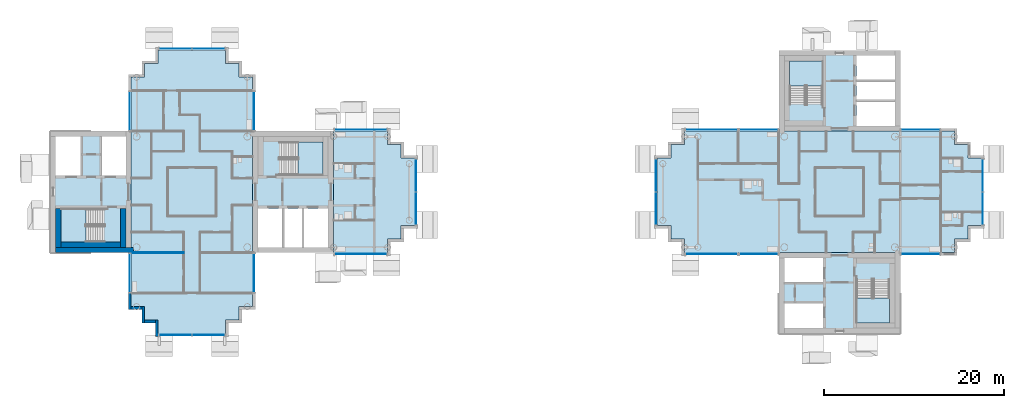
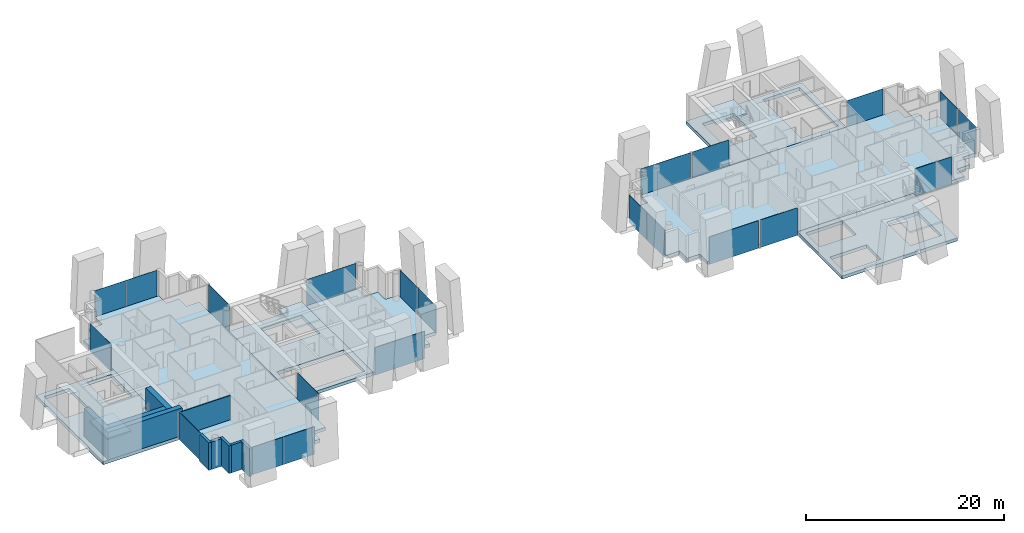
# One storey, part 5 of 19: 22 plates, 11 slabs, 10 walls, 21 elements without a shape of their own.
"""IFC4 building model written with IfcOpenShell, lengths in metres."""

from ifc_helpers import new_model, si_unit, direction, frame, frame_2d, origin, origin_2d, place, context, subcontext, project, spatial, polyline, rectangle, outline, extrude, material, layer, layer_set, type_object, element, aggregate, save


model = new_model("IFC4")

# Units and contexts
model_context = context("Model", 3, precision=1e-05, world=origin(), true_north=direction((0.0, 1.0)))
body_context = subcontext(model_context, "Body", "Model", "MODEL_VIEW")
ifc_project = project(units=[si_unit("LENGTHUNIT", "METRE"), si_unit("AREAUNIT", "SQUARE_METRE"), si_unit("VOLUMEUNIT", "CUBIC_METRE"), si_unit("PLANEANGLEUNIT", "RADIAN"), si_unit("MASSUNIT", "GRAM", prefix="KILO")], contexts=[model_context])

# Site, building, storey
site_placement = place(None, origin())
site = spatial("IfcSite", under=ifc_project, at=site_placement, CompositionType="ELEMENT")
building_placement = place(site_placement, origin())
building = spatial("IfcBuilding", under=site, at=building_placement, Name="Ipe Terrace Towers", CompositionType="ELEMENT")
storey_placement = place(building_placement, frame((0.0, 0.0, 189.199951171875)))
storey = spatial("IfcBuildingStorey", under=building, at=storey_placement, Name="L52", CompositionType="ELEMENT", Elevation=189.199951171875)

# Slabs
ifc_material_1 = material(Name="Concrete C30/37", Category="concrete")
ifc_layer_1 = layer(ifc_material_1, 0.39990234375)
ifc_layer_set_1 = layer_set([ifc_layer_1], Name="CORE FLOOR SLAB 400 C30-37")
slab_type_1 = type_object("IfcSlabType", Name="CORE FLOOR SLAB 400 C30-37", PredefinedType="FLOOR", material=ifc_layer_set_1)
slab_1_placement = place(storey_placement, frame((0.0, 0.0, -0.39990234375)))
element("IfcSlab", 1, at=slab_1_placement, inside=storey, type_object=slab_type_1, Name="Core floor T1-C1", PredefinedType="FLOOR", context=body_context, shape_type="SweptSolid", body=[
    extrude(outline(polyline([(-29.25, -6.75), (-29.25, 6.75), (-20.25, 6.75), (-20.25, -6.75), (-29.25, -6.75)]), holes=[polyline([(-28.64990234375, -6.14990234375), (-20.85009765625, -6.14990234375), (-20.85009765625, -1.85009765625), (-28.64990234375, -1.85009765625), (-28.64990234375, -6.14990234375)]), polyline([(-26.199951171875, 5.550048828125), (-26.199951171875, 1.89990234375), (-21.449951171875, 1.89990234375), (-21.449951171875, 5.550048828125), (-26.199951171875, 5.550048828125)])]), origin(), (0.0, 0.0, 1.0), 0.39990234375),
])
slab_2_placement = place(storey_placement, frame((0.0, 0.0, -0.39990234375)))
element("IfcSlab", 2, at=slab_2_placement, inside=storey, type_object=slab_type_1, Name="Core floor T1-C2", PredefinedType="FLOOR", context=body_context, shape_type="SweptSolid", body=[
    extrude(outline(polyline([(-51.75, -6.75), (-51.75, 6.75), (-42.75, 6.75), (-42.75, -6.75), (-51.75, -6.75)]), holes=[polyline([(-45.800048828125, -1.89990234375), (-50.550048828125, -1.89990234375), (-50.550048828125, -5.550048828125), (-45.800048828125, -5.550048828125), (-45.800048828125, -1.89990234375)]), polyline([(-48.25, 1.85009765625), (-48.25, 6.14990234375), (-51.14990234375, 6.14990234375), (-51.14990234375, 1.85009765625), (-48.25, 1.85009765625)]), polyline([(-43.35009765625, 1.85009765625), (-43.35009765625, 6.14990234375), (-46.14990234375, 6.14990234375), (-46.14990234375, 1.85009765625), (-43.35009765625, 1.85009765625)])]), origin(), (0.0, 0.0, 1.0), 0.39990234375),
])
slab_3_placement = place(storey_placement, frame((0.0, 0.0, -0.39990234375)))
element("IfcSlab", 3, at=slab_3_placement, inside=storey, type_object=slab_type_1, Name="Core floor T2-C1", PredefinedType="FLOOR", context=body_context, shape_type="SweptSolid", body=[
    extrude(outline(polyline([(29.25, 6.75), (29.25, 15.75), (42.75, 15.75), (42.75, 6.75), (29.25, 6.75)]), holes=[polyline([(42.14990234375, 7.35009765625), (42.14990234375, 15.14990234375), (37.85009765625, 15.14990234375), (37.85009765625, 7.35009765625), (42.14990234375, 7.35009765625)]), polyline([(30.449951171875, 9.800048828125), (34.10009765625, 9.800048828125), (34.10009765625, 14.550048828125), (30.449951171875, 14.550048828125), (30.449951171875, 9.800048828125)])]), origin(), (0.0, 0.0, 1.0), 0.39990234375),
])
slab_4_placement = place(storey_placement, frame((0.0, 0.0, -0.39990234375)))
element("IfcSlab", 4, at=slab_4_placement, inside=storey, type_object=slab_type_1, Name="Core floor T2-C2", PredefinedType="FLOOR", context=body_context, shape_type="SweptSolid", body=[
    extrude(outline(polyline([(29.25, -15.75), (29.25, -6.75), (42.75, -6.75), (42.75, -15.75), (29.25, -15.75)]), holes=[polyline([(29.85009765625, -12.25), (29.85009765625, -15.14990234375), (34.14990234375, -15.14990234375), (34.14990234375, -12.25), (29.85009765625, -12.25)]), polyline([(41.550048828125, -9.800048828125), (37.89990234375, -9.800048828125), (37.89990234375, -14.550048828125), (41.550048828125, -14.550048828125), (41.550048828125, -9.800048828125)]), polyline([(34.14990234375, -7.35009765625), (29.85009765625, -7.35009765625), (29.85009765625, -10.14990234375), (34.14990234375, -10.14990234375), (34.14990234375, -7.35009765625)])]), origin(), (0.0, 0.0, 1.0), 0.39990234375),
])

# Stair, slab
ifc_material_2 = material(Name="Concrete C30/37", Category="concrete")
stair_type = type_object("IfcStairType", Name="Protected exit stair", PredefinedType="HALF_TURN_STAIR", material=ifc_material_2)
stair_1_placement = place(storey_placement, origin())
stair_1 = element("IfcStair", 5, at=stair_1_placement, inside=storey, type_object=stair_type, Name="L52 Exit stair T1-C1", PredefinedType="HALF_TURN_STAIR")
ifc_material_3 = material(Name="Concrete C30/37", Category="concrete")
ifc_layer_2 = layer(ifc_material_3, 0.199951171875)
ifc_layer_set_2 = layer_set([ifc_layer_2], Name="Exit stair landing 200")
slab_type_2 = type_object("IfcSlabType", Name="Exit stair landing 200", PredefinedType="LANDING", material=ifc_layer_set_2)
slab_5_placement = place(storey_placement, frame((0.0, 0.0, 1.5)))
slab_5 = element("IfcSlab", 6, at=slab_5_placement, type_object=slab_type_2, Name="T1-ST1 landing 1", PredefinedType="LANDING", context=body_context, shape_type="SweptSolid", body=[
    extrude(outline(polyline([(-24.219970703125, 1.89990234375), (-21.449951171875, 1.89990234375), (-21.449951171875, 5.550048828125), (-24.219970703125, 5.550048828125), (-24.219970703125, 1.89990234375)])), origin(), (0.0, 0.0, 1.0), 0.199951171875),
])
aggregate(stair_1, [slab_5])

stair_2_placement = place(storey_placement, origin())
stair_2 = element("IfcStair", 7, at=stair_2_placement, inside=storey, type_object=stair_type, Name="L52 Exit stair T1-C2", PredefinedType="HALF_TURN_STAIR")
slab_6_placement = place(storey_placement, frame((0.0, 0.0, 1.5)))
slab_6 = element("IfcSlab", 8, at=slab_6_placement, type_object=slab_type_2, Name="T1-ST2 landing 1", PredefinedType="LANDING", context=body_context, shape_type="SweptSolid", body=[
    extrude(outline(polyline([(-47.780029296875, -1.89990234375), (-50.550048828125, -1.89990234375), (-50.550048828125, -5.550048828125), (-47.780029296875, -5.550048828125), (-47.780029296875, -1.89990234375)])), origin(), (0.0, 0.0, 1.0), 0.199951171875),
])
aggregate(stair_2, [slab_6])

stair_3_placement = place(storey_placement, origin())
stair_3 = element("IfcStair", 9, at=stair_3_placement, inside=storey, type_object=stair_type, Name="L52 Exit stair T2-C1", PredefinedType="HALF_TURN_STAIR")
slab_7_placement = place(storey_placement, frame((0.0, 0.0, 1.5)))
slab_7 = element("IfcSlab", 10, at=slab_7_placement, type_object=slab_type_2, Name="T2-ST1 landing 1", PredefinedType="LANDING", context=body_context, shape_type="SweptSolid", body=[
    extrude(outline(polyline([(34.10009765625, 11.780029296875), (34.10009765625, 14.550048828125), (30.449951171875, 14.550048828125), (30.449951171875, 11.780029296875), (34.10009765625, 11.780029296875)])), origin(), (0.0, 0.0, 1.0), 0.199951171875),
])
aggregate(stair_3, [slab_7])

stair_4_placement = place(storey_placement, origin())
stair_4 = element("IfcStair", 11, at=stair_4_placement, inside=storey, type_object=stair_type, Name="L52 Exit stair T2-C2", PredefinedType="HALF_TURN_STAIR")
slab_8_placement = place(storey_placement, frame((0.0, 0.0, 1.5)))
slab_8 = element("IfcSlab", 12, at=slab_8_placement, type_object=slab_type_2, Name="T2-ST2 landing 1", PredefinedType="LANDING", context=body_context, shape_type="SweptSolid", body=[
    extrude(outline(polyline([(37.89990234375, -11.780029296875), (37.89990234375, -14.550048828125), (41.550048828125, -14.550048828125), (41.550048828125, -11.780029296875), (37.89990234375, -11.780029296875)])), origin(), (0.0, 0.0, 1.0), 0.199951171875),
])
aggregate(stair_4, [slab_8])

# Slabs
ifc_material_4 = material(Name="Concrete C40/50", Category="concrete")
ifc_layer_3 = layer(ifc_material_4, 0.39990234375)
ifc_layer_set_3 = layer_set([ifc_layer_3], Name="FLAT PLATE SLAB 400 C40-50")
slab_type_3 = type_object("IfcSlabType", Name="FLAT PLATE SLAB 400 C40-50", PredefinedType="FLOOR", material=ifc_layer_set_3)
slab_9_placement = place(storey_placement, frame((0.0, 0.0, -0.39990234375)))
element("IfcSlab", 13, at=slab_9_placement, inside=storey, type_object=slab_type_3, Name="Slab T1-FS-Z41", PredefinedType="FLOOR", context=body_context, shape_type="SweptSolid", body=[
    extrude(outline(polyline([(-30.75, -12.75), (-30.75, -14.25), (-32.25, -14.25), (-32.25, -15.75), (-39.75, -15.75), (-39.75, -14.25), (-41.25, -14.25), (-41.25, -12.75), (-42.75, -12.75), (-42.75, -6.75), (-42.75, 6.75), (-42.75, 12.75), (-41.25, 12.75), (-41.25, 14.25), (-39.75, 14.25), (-39.75, 15.75), (-32.25, 15.75), (-32.25, 14.25), (-30.75, 14.25), (-30.75, 12.75), (-29.25, 12.75), (-29.25, 6.75), (-29.25, -6.75), (-29.25, -12.75), (-30.75, -12.75)])), origin(), (0.0, 0.0, 1.0), 0.39990234375),
])
slab_10_placement = place(storey_placement, frame((0.0, 0.0, -0.39990234375)))
element("IfcSlab", 14, at=slab_10_placement, inside=storey, type_object=slab_type_3, Name="Slab T1-FS-Z42", PredefinedType="FLOOR", context=body_context, shape_type="SweptSolid", body=[
    extrude(outline(polyline([(-14.25, 5.25), (-12.75, 5.25), (-12.75, 3.75), (-11.25, 3.75), (-11.25, -3.75), (-12.75, -3.75), (-12.75, -5.25), (-14.25, -5.25), (-14.25, -6.75), (-20.25, -6.75), (-20.25, 6.75), (-14.25, 6.75), (-14.25, 5.25)])), origin(), (0.0, 0.0, 1.0), 0.39990234375),
])
slab_11_placement = place(storey_placement, frame((0.0, 0.0, -0.39990234375)))
element("IfcSlab", 15, at=slab_11_placement, inside=storey, type_object=slab_type_3, Name="Slab T2-FS-Z41", PredefinedType="FLOOR", context=body_context, shape_type="SweptSolid", body=[
    extrude(outline(polyline([(48.75, 5.25), (50.25, 5.25), (50.25, 3.75), (51.75, 3.75), (51.75, -3.75), (50.25, -3.75), (50.25, -5.25), (48.75, -5.25), (48.75, -6.75), (42.75, -6.75), (29.25, -6.75), (18.75, -6.75), (18.75, -5.25), (17.25, -5.25), (17.25, -3.75), (15.75, -3.75), (15.75, 3.75), (17.25, 3.75), (17.25, 5.25), (18.75, 5.25), (18.75, 6.75), (29.25, 6.75), (42.75, 6.75), (48.75, 6.75), (48.75, 5.25)])), origin(), (0.0, 0.0, 1.0), 0.39990234375),
])

# Curtain wall, plate
ifc_material_5 = material(Name="Aluminium alloy 6063-T6", Category="aluminium")
ifc_layer_4 = layer(ifc_material_5, 0.320068359375)
ifc_layer_set_4 = layer_set([ifc_layer_4], Name="TOWER UNITISED CURTAIN WALL")
curtain_wall_type = type_object("IfcCurtainWallType", Name="TOWER UNITISED CURTAIN WALL", PredefinedType="NOTDEFINED", material=ifc_layer_set_4)
curtain_wall_1_placement = place(storey_placement, origin())
curtain_wall_1 = element("IfcCurtainWall", 16, at=curtain_wall_1_placement, inside=storey, type_object=curtain_wall_type, Name="T1-CW-L52-02a curtain wall", PredefinedType="NOTDEFINED")
ifc_material_6 = material(Name="Glass, clear laminated", Category="glass")
ifc_layer_5 = layer(ifc_material_6, 0.031982421875)
ifc_layer_set_5 = layer_set([ifc_layer_5], Name="TOWER UNITISED GLASS PANEL 32")
plate_type = type_object("IfcPlateType", Name="TOWER UNITISED GLASS PANEL 32", PredefinedType="CURTAIN_PANEL", material=ifc_layer_set_5)
plate_1_placement = place(storey_placement, frame((-42.909912109375, -9.0, -0.2998046875), z_axis=(0.0, 0.0, 1.0), x_axis=(0.0, -1.0, 0.0)))
plate_1 = element("IfcPlate", 17, at=plate_1_placement, type_object=plate_type, Name="T1-CW-L52-02a panel 1", PredefinedType="CURTAIN_PANEL", context=body_context, shape_type="SweptSolid", body=[
    extrude(rectangle(XDim=4.260009765625, YDim=0.031982421875, at=origin_2d()), origin(), (0.0, 0.0, 1.0), 3.39990234375),
])
aggregate(curtain_wall_1, [plate_1])

# Curtain wall, plates
curtain_wall_2_placement = place(storey_placement, origin())
curtain_wall_2 = element("IfcCurtainWall", 18, at=curtain_wall_2_placement, inside=storey, type_object=curtain_wall_type, Name="T1-CW-L52-08a curtain wall", PredefinedType="NOTDEFINED")
plate_2_placement = place(storey_placement, frame((-37.831298828125, -15.909912109375, -0.2998046875), z_axis=(0.0, 0.0, 1.0), x_axis=(1.0, 0.0, 0.0)))
plate_2 = element("IfcPlate", 19, at=plate_2_placement, type_object=plate_type, Name="T1-CW-L52-08a panel 1", PredefinedType="CURTAIN_PANEL", context=body_context, shape_type="SweptSolid", body=[
    extrude(rectangle(XDim=3.597412109375, YDim=0.031982421875, at=origin_2d()), origin(), (0.0, 0.0, 1.0), 3.39990234375),
])
plate_3_placement = place(storey_placement, frame((-34.168701171875, -15.909912109375, -0.2998046875), z_axis=(0.0, 0.0, 1.0), x_axis=(1.0, 0.0, 0.0)))
plate_3 = element("IfcPlate", 20, at=plate_3_placement, type_object=plate_type, Name="T1-CW-L52-08a panel 2", PredefinedType="CURTAIN_PANEL", context=body_context, shape_type="SweptSolid", body=[
    extrude(rectangle(XDim=3.597412109375, YDim=0.031982421875, at=origin_2d()), origin(), (0.0, 0.0, 1.0), 3.39990234375),
])
aggregate(curtain_wall_2, [plate_2, plate_3])

# Curtain wall, plate
curtain_wall_3_placement = place(storey_placement, origin())
curtain_wall_3 = element("IfcCurtainWall", 21, at=curtain_wall_3_placement, inside=storey, type_object=curtain_wall_type, Name="T1-CW-L52-14a curtain wall", PredefinedType="NOTDEFINED")
plate_4_placement = place(storey_placement, frame((-29.090087890625, -9.0, -0.2998046875), z_axis=(0.0, 0.0, 1.0), x_axis=(0.0, 1.0, 0.0)))
plate_4 = element("IfcPlate", 22, at=plate_4_placement, type_object=plate_type, Name="T1-CW-L52-14a panel 1", PredefinedType="CURTAIN_PANEL", context=body_context, shape_type="SweptSolid", body=[
    extrude(rectangle(XDim=4.260009765625, YDim=0.031982421875, at=origin_2d()), origin(), (0.0, 0.0, 1.0), 3.39990234375),
])
aggregate(curtain_wall_3, [plate_4])

curtain_wall_4_placement = place(storey_placement, origin())
curtain_wall_4 = element("IfcCurtainWall", 23, at=curtain_wall_4_placement, inside=storey, type_object=curtain_wall_type, Name="T1-CW-L52-16b curtain wall", PredefinedType="NOTDEFINED")
plate_5_placement = place(storey_placement, frame((-17.24951171875, -6.909912109375, -0.2998046875), z_axis=(0.0, 0.0, 1.0), x_axis=(1.0, 0.0, 0.0)))
plate_5 = element("IfcPlate", 24, at=plate_5_placement, type_object=plate_type, Name="T1-CW-L52-16b panel 1", PredefinedType="CURTAIN_PANEL", context=body_context, shape_type="SweptSolid", body=[
    extrude(rectangle(XDim=5.759033203125, YDim=0.031982421875, at=origin_2d()), origin(), (0.0, 0.0, 1.0), 3.39990234375),
])
aggregate(curtain_wall_4, [plate_5])

# Curtain wall, plates
curtain_wall_5_placement = place(storey_placement, origin())
curtain_wall_5 = element("IfcCurtainWall", 25, at=curtain_wall_5_placement, inside=storey, type_object=curtain_wall_type, Name="T1-CW-L52-21a curtain wall", PredefinedType="NOTDEFINED")
plate_6_placement = place(storey_placement, frame((-11.090087890625, -1.831298828125, -0.2998046875), z_axis=(0.0, 0.0, 1.0), x_axis=(0.0, 1.0, 0.0)))
plate_6 = element("IfcPlate", 26, at=plate_6_placement, type_object=plate_type, Name="T1-CW-L52-21a panel 1", PredefinedType="CURTAIN_PANEL", context=body_context, shape_type="SweptSolid", body=[
    extrude(rectangle(XDim=3.597412109375, YDim=0.031982421875, at=origin_2d()), origin(), (0.0, 0.0, 1.0), 3.39990234375),
])
plate_7_placement = place(storey_placement, frame((-11.090087890625, 1.831298828125, -0.2998046875), z_axis=(0.0, 0.0, 1.0), x_axis=(0.0, 1.0, 0.0)))
plate_7 = element("IfcPlate", 27, at=plate_7_placement, type_object=plate_type, Name="T1-CW-L52-21a panel 2", PredefinedType="CURTAIN_PANEL", context=body_context, shape_type="SweptSolid", body=[
    extrude(rectangle(XDim=3.597412109375, YDim=0.031982421875, at=origin_2d()), origin(), (0.0, 0.0, 1.0), 3.39990234375),
])
aggregate(curtain_wall_5, [plate_6, plate_7])

# Curtain wall, plate
curtain_wall_6_placement = place(storey_placement, origin())
curtain_wall_6 = element("IfcCurtainWall", 28, at=curtain_wall_6_placement, inside=storey, type_object=curtain_wall_type, Name="T1-CW-L52-26a curtain wall", PredefinedType="NOTDEFINED")
plate_8_placement = place(storey_placement, frame((-17.24951171875, 6.909912109375, -0.2998046875), z_axis=(0.0, 0.0, 1.0), x_axis=(-1.0, 0.0, 0.0)))
plate_8 = element("IfcPlate", 29, at=plate_8_placement, type_object=plate_type, Name="T1-CW-L52-26a panel 1", PredefinedType="CURTAIN_PANEL", context=body_context, shape_type="SweptSolid", body=[
    extrude(rectangle(XDim=5.759033203125, YDim=0.031982421875, at=origin_2d()), origin(), (0.0, 0.0, 1.0), 3.39990234375),
])
aggregate(curtain_wall_6, [plate_8])

curtain_wall_7_placement = place(storey_placement, origin())
curtain_wall_7 = element("IfcCurtainWall", 30, at=curtain_wall_7_placement, inside=storey, type_object=curtain_wall_type, Name="T1-CW-L52-28a curtain wall", PredefinedType="NOTDEFINED")
plate_9_placement = place(storey_placement, frame((-29.090087890625, 9.0, -0.2998046875), z_axis=(0.0, 0.0, 1.0), x_axis=(0.0, 1.0, 0.0)))
plate_9 = element("IfcPlate", 31, at=plate_9_placement, type_object=plate_type, Name="T1-CW-L52-28a panel 1", PredefinedType="CURTAIN_PANEL", context=body_context, shape_type="SweptSolid", body=[
    extrude(rectangle(XDim=4.260009765625, YDim=0.031982421875, at=origin_2d()), origin(), (0.0, 0.0, 1.0), 3.39990234375),
])
aggregate(curtain_wall_7, [plate_9])

# Curtain wall, plates
curtain_wall_8_placement = place(storey_placement, origin())
curtain_wall_8 = element("IfcCurtainWall", 32, at=curtain_wall_8_placement, inside=storey, type_object=curtain_wall_type, Name="T1-CW-L52-34a curtain wall", PredefinedType="NOTDEFINED")
plate_10_placement = place(storey_placement, frame((-34.168701171875, 15.909912109375, -0.2998046875), z_axis=(0.0, 0.0, 1.0), x_axis=(-1.0, 0.0, 0.0)))
plate_10 = element("IfcPlate", 33, at=plate_10_placement, type_object=plate_type, Name="T1-CW-L52-34a panel 1", PredefinedType="CURTAIN_PANEL", context=body_context, shape_type="SweptSolid", body=[
    extrude(rectangle(XDim=3.597412109375, YDim=0.031982421875, at=origin_2d()), origin(), (0.0, 0.0, 1.0), 3.39990234375),
])
plate_11_placement = place(storey_placement, frame((-37.831298828125, 15.909912109375, -0.2998046875), z_axis=(0.0, 0.0, 1.0), x_axis=(-1.0, 0.0, 0.0)))
plate_11 = element("IfcPlate", 34, at=plate_11_placement, type_object=plate_type, Name="T1-CW-L52-34a panel 2", PredefinedType="CURTAIN_PANEL", context=body_context, shape_type="SweptSolid", body=[
    extrude(rectangle(XDim=3.597412109375, YDim=0.031982421875, at=origin_2d()), origin(), (0.0, 0.0, 1.0), 3.39990234375),
])
aggregate(curtain_wall_8, [plate_10, plate_11])

# Curtain wall, plate
curtain_wall_9_placement = place(storey_placement, origin())
curtain_wall_9 = element("IfcCurtainWall", 35, at=curtain_wall_9_placement, inside=storey, type_object=curtain_wall_type, Name="T1-CW-L52-40a curtain wall", PredefinedType="NOTDEFINED")
plate_12_placement = place(storey_placement, frame((-42.909912109375, 9.0, -0.2998046875), z_axis=(0.0, 0.0, 1.0), x_axis=(0.0, -1.0, 0.0)))
plate_12 = element("IfcPlate", 36, at=plate_12_placement, type_object=plate_type, Name="T1-CW-L52-40a panel 1", PredefinedType="CURTAIN_PANEL", context=body_context, shape_type="SweptSolid", body=[
    extrude(rectangle(XDim=4.260009765625, YDim=0.031982421875, at=origin_2d()), origin(), (0.0, 0.0, 1.0), 3.39990234375),
])
aggregate(curtain_wall_9, [plate_12])

curtain_wall_10_placement = place(storey_placement, origin())
curtain_wall_10 = element("IfcCurtainWall", 37, at=curtain_wall_10_placement, inside=storey, type_object=curtain_wall_type, Name="T2-CW-L52-02a curtain wall", PredefinedType="NOTDEFINED")
plate_13_placement = place(storey_placement, frame((45.0, -6.909912109375, -0.2998046875), z_axis=(0.0, 0.0, 1.0), x_axis=(1.0, 0.0, 0.0)))
plate_13 = element("IfcPlate", 38, at=plate_13_placement, type_object=plate_type, Name="T2-CW-L52-02a panel 1", PredefinedType="CURTAIN_PANEL", context=body_context, shape_type="SweptSolid", body=[
    extrude(rectangle(XDim=4.260009765625, YDim=0.031982421875, at=origin_2d()), origin(), (0.0, 0.0, 1.0), 3.39990234375),
])
aggregate(curtain_wall_10, [plate_13])

# Curtain wall, plates
curtain_wall_11_placement = place(storey_placement, origin())
curtain_wall_11 = element("IfcCurtainWall", 39, at=curtain_wall_11_placement, inside=storey, type_object=curtain_wall_type, Name="T2-CW-L52-08a curtain wall", PredefinedType="NOTDEFINED")
plate_14_placement = place(storey_placement, frame((51.909912109375, -1.831298828125, -0.2998046875), z_axis=(0.0, 0.0, 1.0), x_axis=(0.0, 1.0, 0.0)))
plate_14 = element("IfcPlate", 40, at=plate_14_placement, type_object=plate_type, Name="T2-CW-L52-08a panel 1", PredefinedType="CURTAIN_PANEL", context=body_context, shape_type="SweptSolid", body=[
    extrude(rectangle(XDim=3.597412109375, YDim=0.031982421875, at=origin_2d()), origin(), (0.0, 0.0, 1.0), 3.39990234375),
])
plate_15_placement = place(storey_placement, frame((51.909912109375, 1.831298828125, -0.2998046875), z_axis=(0.0, 0.0, 1.0), x_axis=(0.0, 1.0, 0.0)))
plate_15 = element("IfcPlate", 41, at=plate_15_placement, type_object=plate_type, Name="T2-CW-L52-08a panel 2", PredefinedType="CURTAIN_PANEL", context=body_context, shape_type="SweptSolid", body=[
    extrude(rectangle(XDim=3.597412109375, YDim=0.031982421875, at=origin_2d()), origin(), (0.0, 0.0, 1.0), 3.39990234375),
])
aggregate(curtain_wall_11, [plate_14, plate_15])

# Curtain wall, plate
curtain_wall_12_placement = place(storey_placement, origin())
curtain_wall_12 = element("IfcCurtainWall", 42, at=curtain_wall_12_placement, inside=storey, type_object=curtain_wall_type, Name="T2-CW-L52-14a curtain wall", PredefinedType="NOTDEFINED")
plate_16_placement = place(storey_placement, frame((45.0, 6.909912109375, -0.2998046875), z_axis=(0.0, 0.0, 1.0), x_axis=(-1.0, 0.0, 0.0)))
plate_16 = element("IfcPlate", 43, at=plate_16_placement, type_object=plate_type, Name="T2-CW-L52-14a panel 1", PredefinedType="CURTAIN_PANEL", context=body_context, shape_type="SweptSolid", body=[
    extrude(rectangle(XDim=4.260009765625, YDim=0.031982421875, at=origin_2d()), origin(), (0.0, 0.0, 1.0), 3.39990234375),
])
aggregate(curtain_wall_12, [plate_16])

curtain_wall_13_placement = place(storey_placement, origin())
curtain_wall_13 = element("IfcCurtainWall", 44, at=curtain_wall_13_placement, inside=storey, type_object=curtain_wall_type, Name="T2-CW-L52-20a curtain wall", PredefinedType="NOTDEFINED")
plate_17_placement = place(storey_placement, frame((27.0, 6.909912109375, -0.2998046875), z_axis=(0.0, 0.0, 1.0), x_axis=(-1.0, 0.0, 0.0)))
plate_17 = element("IfcPlate", 45, at=plate_17_placement, type_object=plate_type, Name="T2-CW-L52-20a panel 1", PredefinedType="CURTAIN_PANEL", context=body_context, shape_type="SweptSolid", body=[
    extrude(rectangle(XDim=4.260009765625, YDim=0.031982421875, at=origin_2d()), origin(), (0.0, 0.0, 1.0), 3.39990234375),
])
aggregate(curtain_wall_13, [plate_17])

curtain_wall_14_placement = place(storey_placement, origin())
curtain_wall_14 = element("IfcCurtainWall", 46, at=curtain_wall_14_placement, inside=storey, type_object=curtain_wall_type, Name="T2-CW-L52-21a curtain wall", PredefinedType="NOTDEFINED")
plate_18_placement = place(storey_placement, frame((21.75, 6.909912109375, -0.2998046875), z_axis=(0.0, 0.0, 1.0), x_axis=(-1.0, 0.0, 0.0)))
plate_18 = element("IfcPlate", 47, at=plate_18_placement, type_object=plate_type, Name="T2-CW-L52-21a panel 1", PredefinedType="CURTAIN_PANEL", context=body_context, shape_type="SweptSolid", body=[
    extrude(rectangle(XDim=5.760009765625, YDim=0.031982421875, at=origin_2d()), origin(), (0.0, 0.0, 1.0), 3.39990234375),
])
aggregate(curtain_wall_14, [plate_18])

# Curtain wall, plates
curtain_wall_15_placement = place(storey_placement, origin())
curtain_wall_15 = element("IfcCurtainWall", 48, at=curtain_wall_15_placement, inside=storey, type_object=curtain_wall_type, Name="T2-CW-L52-26a curtain wall", PredefinedType="NOTDEFINED")
plate_19_placement = place(storey_placement, frame((15.590087890625, 1.831298828125, -0.2998046875), z_axis=(0.0, 0.0, 1.0), x_axis=(0.0, -1.0, 0.0)))
plate_19 = element("IfcPlate", 49, at=plate_19_placement, type_object=plate_type, Name="T2-CW-L52-26a panel 1", PredefinedType="CURTAIN_PANEL", context=body_context, shape_type="SweptSolid", body=[
    extrude(rectangle(XDim=3.597412109375, YDim=0.031982421875, at=origin_2d()), origin(), (0.0, 0.0, 1.0), 3.39990234375),
])
plate_20_placement = place(storey_placement, frame((15.590087890625, -1.831298828125, -0.2998046875), z_axis=(0.0, 0.0, 1.0), x_axis=(0.0, -1.0, 0.0)))
plate_20 = element("IfcPlate", 50, at=plate_20_placement, type_object=plate_type, Name="T2-CW-L52-26a panel 2", PredefinedType="CURTAIN_PANEL", context=body_context, shape_type="SweptSolid", body=[
    extrude(rectangle(XDim=3.597412109375, YDim=0.031982421875, at=origin_2d()), origin(), (0.0, 0.0, 1.0), 3.39990234375),
])
aggregate(curtain_wall_15, [plate_19, plate_20])

# Curtain wall, plate
curtain_wall_16_placement = place(storey_placement, origin())
curtain_wall_16 = element("IfcCurtainWall", 51, at=curtain_wall_16_placement, inside=storey, type_object=curtain_wall_type, Name="T2-CW-L52-31a curtain wall", PredefinedType="NOTDEFINED")
plate_21_placement = place(storey_placement, frame((21.75, -6.909912109375, -0.2998046875), z_axis=(0.0, 0.0, 1.0), x_axis=(1.0, 0.0, 0.0)))
plate_21 = element("IfcPlate", 52, at=plate_21_placement, type_object=plate_type, Name="T2-CW-L52-31a panel 1", PredefinedType="CURTAIN_PANEL", context=body_context, shape_type="SweptSolid", body=[
    extrude(rectangle(XDim=5.760009765625, YDim=0.031982421875, at=origin_2d()), origin(), (0.0, 0.0, 1.0), 3.39990234375),
])
aggregate(curtain_wall_16, [plate_21])

curtain_wall_17_placement = place(storey_placement, origin())
curtain_wall_17 = element("IfcCurtainWall", 53, at=curtain_wall_17_placement, inside=storey, type_object=curtain_wall_type, Name="T2-CW-L52-32a curtain wall", PredefinedType="NOTDEFINED")
plate_22_placement = place(storey_placement, frame((27.0, -6.909912109375, -0.2998046875), z_axis=(0.0, 0.0, 1.0), x_axis=(1.0, 0.0, 0.0)))
plate_22 = element("IfcPlate", 54, at=plate_22_placement, type_object=plate_type, Name="T2-CW-L52-32a panel 1", PredefinedType="CURTAIN_PANEL", context=body_context, shape_type="SweptSolid", body=[
    extrude(rectangle(XDim=4.260009765625, YDim=0.031982421875, at=origin_2d()), origin(), (0.0, 0.0, 1.0), 3.39990234375),
])
aggregate(curtain_wall_17, [plate_22])

# Walls
ifc_material_7 = material(Name="Concrete C40/50 with buff precast cladding", Category="concrete")
ifc_layer_6 = layer(ifc_material_7, 0.320068359375)
ifc_layer_set_6 = layer_set([ifc_layer_6], Name="BUFF CLADDING WALL 320")
wall_type_1 = type_object("IfcWallType", Name="BUFF CLADDING WALL 320", PredefinedType="STANDARD", material=ifc_layer_set_6)
wall_1_placement = place(storey_placement, frame((-42.909912109375, -11.25, -0.300048828125), z_axis=(0.0, 0.0, 1.0), x_axis=(0.0, -1.0, 0.0)))
element("IfcWall", 55, at=wall_1_placement, inside=storey, type_object=wall_type_1, Name="T1-W-L52-03a wall", PredefinedType="STANDARD", context=body_context, shape_type="SweptSolid", body=[
    extrude(rectangle(XDim=1.820068359375, YDim=0.320068359375, at=frame_2d((0.91015625, 0.0))), origin(), (0.0, 0.0, 1.0), 3.400146484375),
])
wall_2_placement = place(storey_placement, frame((-42.75, -12.909912109375, -0.300048828125), z_axis=(0.0, 0.0, 1.0), x_axis=(1.0, 0.0, 0.0)))
element("IfcWall", 56, at=wall_2_placement, inside=storey, type_object=wall_type_1, Name="T1-W-L52-04a wall", PredefinedType="STANDARD", context=body_context, shape_type="SweptSolid", body=[
    extrude(rectangle(XDim=1.179931640625, YDim=0.320068359375, at=frame_2d((0.58984375, 0.0))), origin(), (0.0, 0.0, 1.0), 3.400146484375),
])
wall_3_placement = place(storey_placement, frame((-41.409912109375, -12.75, -0.300048828125), z_axis=(0.0, 0.0, 1.0), x_axis=(0.0, -1.0, 0.0)))
element("IfcWall", 57, at=wall_3_placement, inside=storey, type_object=wall_type_1, Name="T1-W-L52-05a wall", PredefinedType="STANDARD", context=body_context, shape_type="SweptSolid", body=[
    extrude(rectangle(XDim=1.820068359375, YDim=0.320068359375, at=frame_2d((0.91015625, 0.0))), origin(), (0.0, 0.0, 1.0), 3.400146484375),
])
wall_4_placement = place(storey_placement, frame((-41.25, -14.409912109375, -0.300048828125), z_axis=(0.0, 0.0, 1.0), x_axis=(1.0, 0.0, 0.0)))
element("IfcWall", 58, at=wall_4_placement, inside=storey, type_object=wall_type_1, Name="T1-W-L52-06a wall", PredefinedType="STANDARD", context=body_context, shape_type="SweptSolid", body=[
    extrude(rectangle(XDim=1.179931640625, YDim=0.320068359375, at=frame_2d((0.58984375, 0.0))), origin(), (0.0, 0.0, 1.0), 3.400146484375),
])
wall_5_placement = place(storey_placement, frame((-39.909912109375, -14.25, -0.300048828125), z_axis=(0.0, 0.0, 1.0), x_axis=(0.0, -1.0, 0.0)))
element("IfcWall", 59, at=wall_5_placement, inside=storey, type_object=wall_type_1, Name="T1-W-L52-07a wall", PredefinedType="STANDARD", context=body_context, shape_type="SweptSolid", body=[
    extrude(rectangle(XDim=1.820068359375, YDim=0.320068359375, at=frame_2d((0.91015625, 0.0))), origin(), (0.0, 0.0, 1.0), 3.400146484375),
])
ifc_material_8 = material(Name="Gypsum board partition", Category="plasterboard")
ifc_layer_7 = layer(ifc_material_8, 0.10009765625)
ifc_layer_set_7 = layer_set([ifc_layer_7], Name="Gypsum board partition 100 mm")
wall_type_2 = type_object("IfcWallType", Name="Gypsum board partition 100 mm", PredefinedType="PARTITIONING", material=ifc_layer_set_7)
wall_6_placement = place(storey_placement, frame((-42.85009765625, -6.75, 0.0), z_axis=(0.0, 0.0, 1.0), x_axis=(1.0, 0.0, 0.0)))
element("IfcWall", 60, at=wall_6_placement, inside=storey, type_object=wall_type_2, Name="Gypsum board partition T1 L52 W19", PredefinedType="PARTITIONING", context=body_context, shape_type="SweptSolid", body=[
    extrude(rectangle(XDim=5.9501953125, YDim=0.10009765625, at=frame_2d((2.97509765625, 0.0))), origin(), (0.0, 0.0, 1.0), 3.0),
])
ifc_material_9 = material(Name="Concrete C40/50", Category="concrete")
ifc_layer_8 = layer(ifc_material_9, 0.60009765625)
ifc_layer_set_8 = layer_set([ifc_layer_8], Name="RW600 CORE INFILL WALL 600 C40-50")
wall_type_3 = type_object("IfcWallType", Name="RW600 CORE INFILL WALL 600 C40-50", PredefinedType="SHEAR", material=ifc_layer_set_8)
wall_7_placement = place(storey_placement, frame((-50.85009765625, -1.85009765625, 0.0), z_axis=(0.0, 0.0, 1.0), x_axis=(0.0, -1.0, 0.0)))
element("IfcWall", 61, at=wall_7_placement, inside=storey, type_object=wall_type_3, Name="Core infill wall T1-C2-far", PredefinedType="SHEAR", context=body_context, shape_type="SweptSolid", body=[
    extrude(rectangle(XDim=4.2998046875, YDim=0.60009765625, at=frame_2d((2.14990234375, 0.0))), origin(), (0.0, 0.0, 1.0), 3.400146484375),
])
wall_8_placement = place(storey_placement, frame((-43.949951171875, -5.85009765625, 0.0), z_axis=(0.0, 0.0, 1.0), x_axis=(-1.0, 0.0, 0.0)))
element("IfcWall", 62, at=wall_8_placement, inside=storey, type_object=wall_type_3, Name="Core infill wall T1-C2-back", PredefinedType="SHEAR", context=body_context, shape_type="SweptSolid", body=[
    extrude(rectangle(XDim=6.60009765625, YDim=0.60009765625, at=frame_2d((3.300048828125, 0.0))), origin(), (0.0, 0.0, 1.0), 3.400146484375),
])
wall_9_placement = place(storey_placement, frame((-43.64990234375, -1.85009765625, 0.0), z_axis=(0.0, 0.0, 1.0), x_axis=(0.0, -1.0, 0.0)))
element("IfcWall", 63, at=wall_9_placement, inside=storey, type_object=wall_type_3, Name="Core infill wall T1-C2-near", PredefinedType="SHEAR", context=body_context, shape_type="SweptSolid", body=[
    extrude(rectangle(XDim=4.2998046875, YDim=0.60009765625, at=frame_2d((2.14990234375, 0.0))), origin(), (0.0, 0.0, 1.0), 3.400146484375),
])
ifc_material_10 = material(Name="Concrete C40/50", Category="concrete")
ifc_layer_9 = layer(ifc_material_10, 0.60009765625)
ifc_layer_set_9 = layer_set([ifc_layer_9], Name="RW600 CORE WALL 600 C40-50")
wall_type_4 = type_object("IfcWallType", Name="RW600 CORE WALL 600 C40-50", PredefinedType="SHEAR", material=ifc_layer_set_9)
wall_10_placement = place(storey_placement, frame((-51.14990234375, -6.449951171875, 0.0), z_axis=(0.0, 0.0, 1.0), x_axis=(1.0, 0.0, 0.0)))
element("IfcWall", 64, at=wall_10_placement, inside=storey, type_object=wall_type_4, Name="Core wall T1-C2-Z4-W01", PredefinedType="SHEAR", context=body_context, shape_type="SweptSolid", body=[
    extrude(rectangle(XDim=8.64794921875, YDim=0.60009765625, at=frame_2d((4.323974609375, 0.0))), origin(), (0.0, 0.0, 1.0), 3.400146484375),
])

save(model, "model.ifc")
